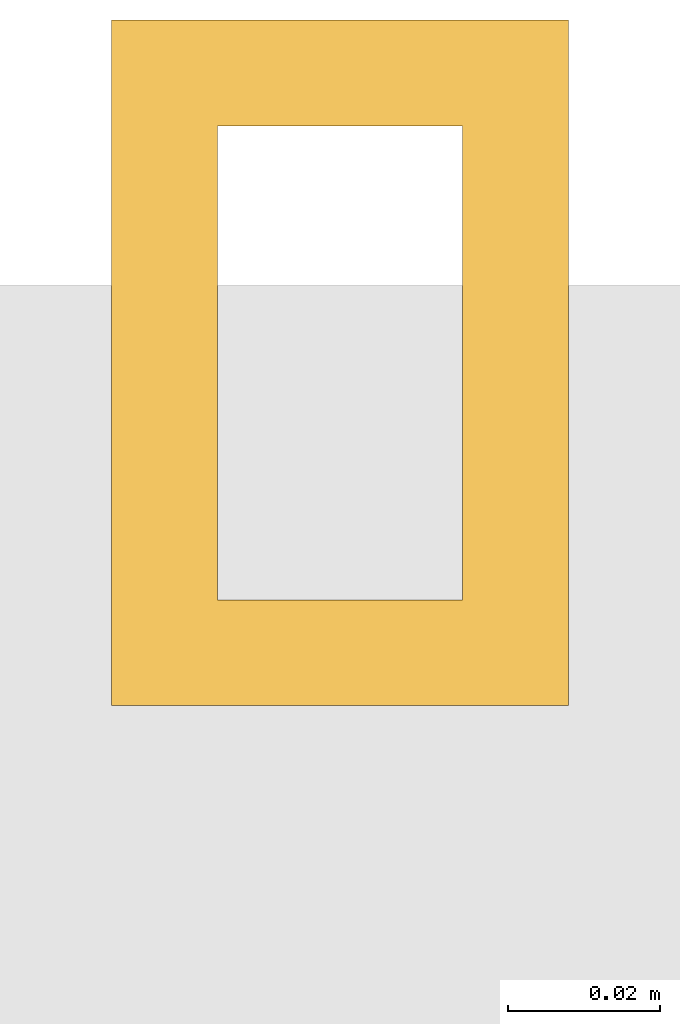
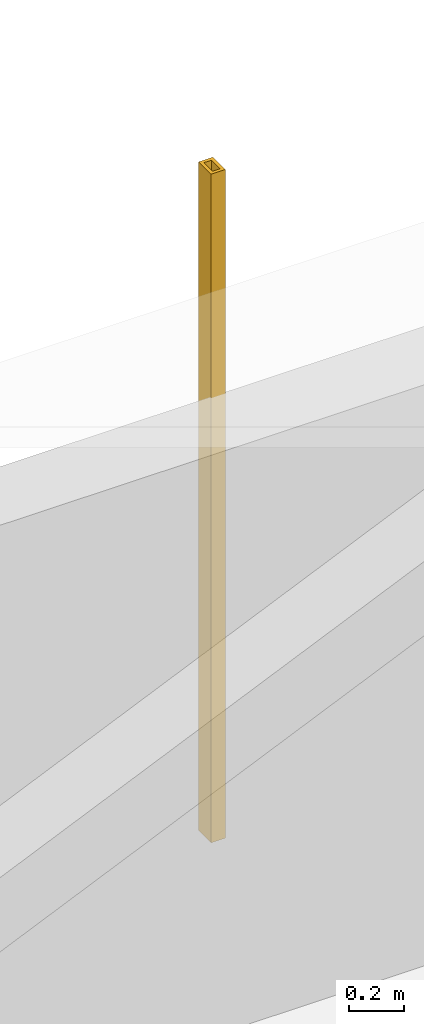
# One storey, part 43 of 44: 1 shading device.
"""IFC4 building model written with IfcOpenShell, lengths in metres."""

from ifc_helpers import new_model, si_unit, direction, frame, origin, origin_2d, place, context, subcontext, project, spatial, hollow_rectangle, extrude, material, material_profile, profile_set, type_object, element, save


model = new_model("IFC4")

# Units and contexts
model_context = context("Model", 3, precision=1e-05, world=origin(), true_north=direction((0.0, 1.0)))
body_context = subcontext(model_context, "Body", "Model", "MODEL_VIEW")
ifc_project = project(units=[si_unit("LENGTHUNIT", "METRE"), si_unit("AREAUNIT", "SQUARE_METRE"), si_unit("VOLUMEUNIT", "CUBIC_METRE"), si_unit("PLANEANGLEUNIT", "RADIAN"), si_unit("MASSUNIT", "GRAM", prefix="KILO")], contexts=[model_context])

# Site, building, storey
site_placement = place(None, origin())
site = spatial("IfcSite", under=ifc_project, at=site_placement, CompositionType="ELEMENT")
building_placement = place(site_placement, origin())
building = spatial("IfcBuilding", under=site, at=building_placement, Name="Punatoya Terracotta Tower", CompositionType="ELEMENT")
storey_placement = place(building_placement, frame((0.0, 0.0, 267.60009765625)))
storey = spatial("IfcBuildingStorey", under=building, at=storey_placement, Name="L63", CompositionType="ELEMENT", Elevation=267.60009765625)

# Shading device
ifc_material = material(Name="Architectural Fired Terracotta", Category="masonry")
ifc_material_profile = material_profile(ifc_material, hollow_rectangle(XDim=0.06005859375, YDim=0.090087890625, WallThickness=0.013916015625, at=origin_2d()))
ifc_profile_set = profile_set([ifc_material_profile], Name="Architectural Fired Terracotta")
shading_device_type = type_object("IfcShadingDeviceType", Name="SHD-JALI-90", PredefinedType="JALOUSIE", material=ifc_profile_set)
shading_device_placement = place(storey_placement, frame((0.0, 23.449951171875, 0.599853515625), z_axis=(0.0, 0.0, 1.0), x_axis=(1.0, 0.0, 0.0)))
element("IfcShadingDevice", 1, at=shading_device_placement, inside=storey, type_object=shading_device_type, Name="L63 Braced Bay Terracotta Jali Fin N1", PredefinedType="JALOUSIE", context=body_context, shape_type="SweptSolid", body=[
    extrude(hollow_rectangle(XDim=0.06005859375, YDim=0.090087890625, WallThickness=0.013916015625, at=origin_2d()), origin(), (0.0, 0.0, 1.0), 2.949951171875),
])

save(model, "model.ifc")
